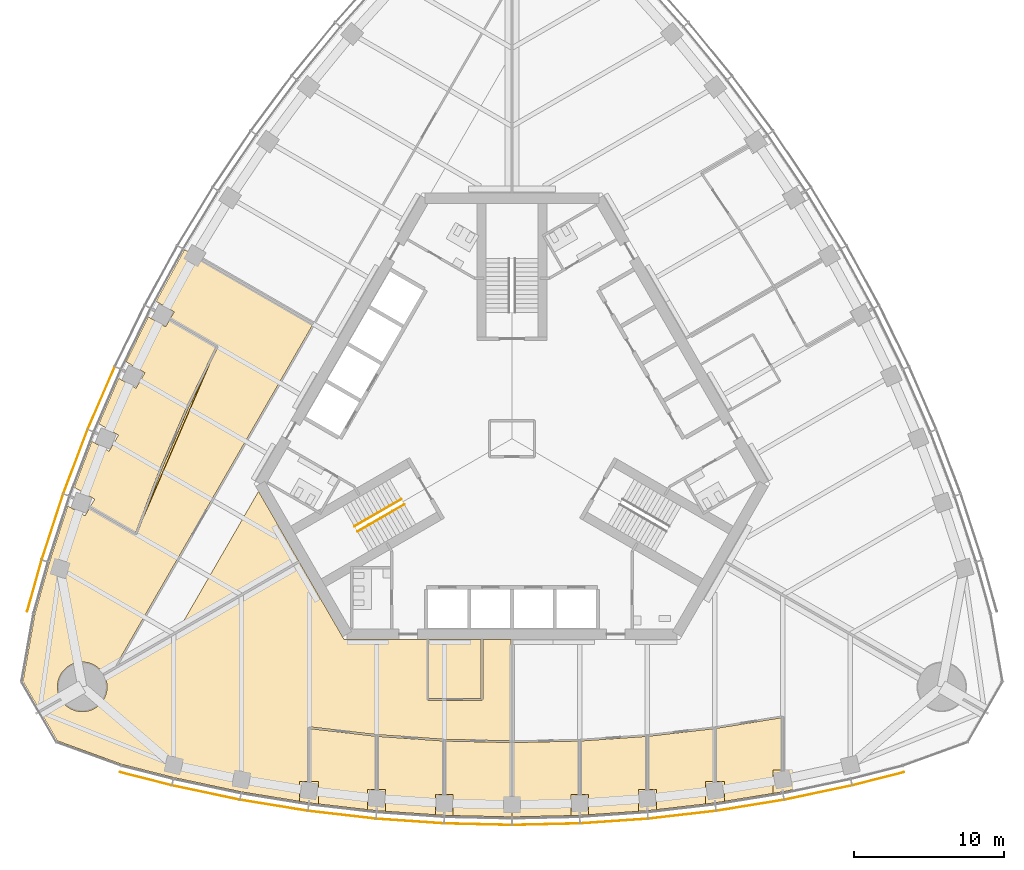
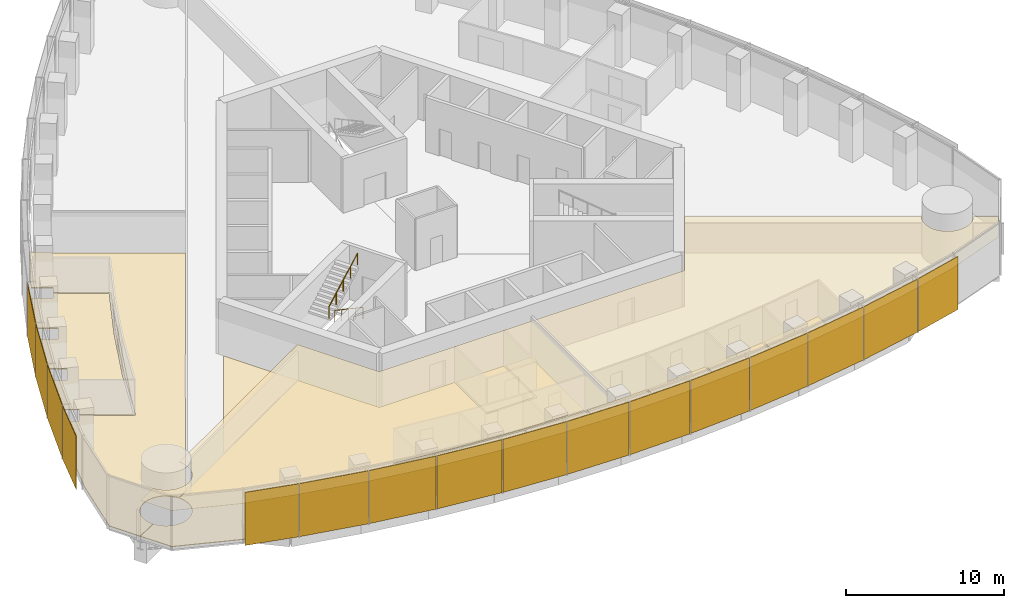
# One storey, part 15 of 19: 16 shading devices, 14 coverings, 2 railings.
"""IFC4 building model written with IfcOpenShell, lengths in metres."""

from ifc_helpers import new_model, si_unit, direction, frame, origin, origin_2d, place, context, subcontext, project, spatial, polyline, rectangle, circle, outline, extrude, material, layer, layer_set, type_object, element, save


model = new_model("IFC4")

# Units and contexts
model_context = context("Model", 3, precision=1e-05, world=origin(), true_north=direction((0.0, 1.0)))
body_context = subcontext(model_context, "Body", "Model", "MODEL_VIEW")
ifc_project = project(units=[si_unit("LENGTHUNIT", "METRE"), si_unit("AREAUNIT", "SQUARE_METRE"), si_unit("VOLUMEUNIT", "CUBIC_METRE"), si_unit("PLANEANGLEUNIT", "RADIAN"), si_unit("MASSUNIT", "GRAM", prefix="KILO")], contexts=[model_context])

# Site, building, storey
site_placement = place(None, origin())
site = spatial("IfcSite", under=ifc_project, at=site_placement, CompositionType="ELEMENT")
building_placement = place(site_placement, origin())
building = spatial("IfcBuilding", under=site, at=building_placement, Name="Trefoil Bronze Tower", CompositionType="ELEMENT")
storey_placement = place(building_placement, frame((0.0, 0.0, 223.300048828125)))
storey = spatial("IfcBuildingStorey", under=building, at=storey_placement, Name="L51", CompositionType="ELEMENT", Elevation=223.300048828125)

# Shading devices
ifc_material_1 = material(Name="Perforated bronze sheet", Category="bronze")
ifc_layer_1 = layer(ifc_material_1, 0.0400390625)
ifc_layer_set_1 = layer_set([ifc_layer_1], Name="Bronze solar screen panel")
shading_device_type = type_object("IfcShadingDeviceType", Name="Bronze solar screen panel", PredefinedType="SHUTTER", material=ifc_layer_set_1)
shading_device_1_placement = place(storey_placement, frame((-24.360107421875, -22.614501953125, 0.0498046875), z_axis=(0.0, 0.0, 1.0), x_axis=(0.968934035393, -0.247319297786, 0.0)))
element("IfcShadingDevice", 1, at=shading_device_1_placement, inside=storey, type_object=shading_device_type, Name="Solar screen CW-A L51 F1 bay 1", PredefinedType="SHUTTER", context=body_context, shape_type="SweptSolid", body=[
    extrude(rectangle(XDim=3.53369140625, YDim=0.0400390625, at=origin_2d()), origin(), (0.0, 0.0, 1.0), 4.10009765625),
])
shading_device_2_placement = place(storey_placement, frame((-20.361572265625, -23.535888671875, 0.0498046875), z_axis=(0.0, 0.0, 1.0), x_axis=(0.978394335897, -0.20674748725, 0.0)))
element("IfcShadingDevice", 2, at=shading_device_2_placement, inside=storey, type_object=shading_device_type, Name="Solar screen CW-A L51 F1 bay 2", PredefinedType="SHUTTER", context=body_context, shape_type="SweptSolid", body=[
    extrude(rectangle(XDim=4.5693359375, YDim=0.0400390625, at=origin_2d()), origin(), (0.0, 0.0, 1.0), 4.10009765625),
])
shading_device_3_placement = place(storey_placement, frame((-15.8369140625, -24.382568359375, 0.0498046875), z_axis=(0.0, 0.0, 1.0), x_axis=(0.986986549528, -0.160802832848, 0.0)))
element("IfcShadingDevice", 3, at=shading_device_3_placement, inside=storey, type_object=shading_device_type, Name="Solar screen CW-A L51 F1 bay 3", PredefinedType="SHUTTER", context=body_context, shape_type="SweptSolid", body=[
    extrude(rectangle(XDim=4.529296875, YDim=0.0400390625, at=origin_2d()), origin(), (0.0, 0.0, 1.0), 4.10009765625),
])
shading_device_4_placement = place(storey_placement, frame((-11.31201171875, -25.0126953125, 0.0498046875), z_axis=(0.0, 0.0, 1.0), x_axis=(0.993381831741, -0.114858767043, 0.0)))
element("IfcShadingDevice", 4, at=shading_device_4_placement, inside=storey, type_object=shading_device_type, Name="Solar screen CW-A L51 F1 bay 4", PredefinedType="SHUTTER", context=body_context, shape_type="SweptSolid", body=[
    extrude(rectangle(XDim=4.5, YDim=0.0400390625, at=origin_2d()), origin(), (0.0, 0.0, 1.0), 4.10009765625),
])
shading_device_5_placement = place(storey_placement, frame((-6.787109375, -25.430419921875, 0.0498046875), z_axis=(0.0, 0.0, 1.0), x_axis=(0.99762252804, -0.068915103905, 0.0)))
element("IfcShadingDevice", 5, at=shading_device_5_placement, inside=storey, type_object=shading_device_type, Name="Solar screen CW-A L51 F1 bay 5", PredefinedType="SHUTTER", context=body_context, shape_type="SweptSolid", body=[
    extrude(rectangle(XDim=4.480712890625, YDim=0.0400390625, at=origin_2d()), origin(), (0.0, 0.0, 1.0), 4.10009765625),
])
for number, where, z_axis, x_axis, name in (
    (6, (-2.262451171875, -25.638671875, 0.0498046875), (0.0, 0.0, 1.0), (0.999736116243, -0.022971675577, 0.0), "Solar screen CW-A L51 F1 bay 6"),
    (7, (2.262451171875, -25.638671875, 0.0498046875), (0.0, 0.0, 1.0), (0.999736116243, 0.022971675577, 0.0), "Solar screen CW-A L51 F1 bay 7"),
):
    element("IfcShadingDevice", number, at=place(storey_placement, frame(where, z_axis=z_axis, x_axis=x_axis)), inside=storey, type_object=shading_device_type, Name=name, PredefinedType="SHUTTER", context=body_context, shape_type="SweptSolid", body=[
        extrude(rectangle(XDim=4.47119140625, YDim=0.0400390625, at=origin_2d()), origin(), (0.0, 0.0, 1.0), 4.10009765625),
    ])
shading_device_6_placement = place(storey_placement, frame((6.787109375, -25.430419921875, 0.0498046875), z_axis=(0.0, 0.0, 1.0), x_axis=(0.99762252804, 0.068915103905, 0.0)))
element("IfcShadingDevice", 8, at=shading_device_6_placement, inside=storey, type_object=shading_device_type, Name="Solar screen CW-A L51 F1 bay 8", PredefinedType="SHUTTER", context=body_context, shape_type="SweptSolid", body=[
    extrude(rectangle(XDim=4.480712890625, YDim=0.0400390625, at=origin_2d()), origin(), (0.0, 0.0, 1.0), 4.10009765625),
])
shading_device_7_placement = place(storey_placement, frame((11.31201171875, -25.0126953125, 0.0498046875), z_axis=(0.0, 0.0, 1.0), x_axis=(0.993381831741, 0.114858767043, 0.0)))
element("IfcShadingDevice", 9, at=shading_device_7_placement, inside=storey, type_object=shading_device_type, Name="Solar screen CW-A L51 F1 bay 9", PredefinedType="SHUTTER", context=body_context, shape_type="SweptSolid", body=[
    extrude(rectangle(XDim=4.5, YDim=0.0400390625, at=origin_2d()), origin(), (0.0, 0.0, 1.0), 4.10009765625),
])
shading_device_8_placement = place(storey_placement, frame((15.8369140625, -24.382568359375, 0.0498046875), z_axis=(0.0, 0.0, 1.0), x_axis=(0.986986549528, 0.160802832848, 0.0)))
element("IfcShadingDevice", 10, at=shading_device_8_placement, inside=storey, type_object=shading_device_type, Name="Solar screen CW-A L51 F1 bay 10", PredefinedType="SHUTTER", context=body_context, shape_type="SweptSolid", body=[
    extrude(rectangle(XDim=4.529296875, YDim=0.0400390625, at=origin_2d()), origin(), (0.0, 0.0, 1.0), 4.10009765625),
])
shading_device_9_placement = place(storey_placement, frame((20.361572265625, -23.535888671875, 0.0498046875), z_axis=(0.0, 0.0, 1.0), x_axis=(0.978394335897, 0.20674748725, 0.0)))
element("IfcShadingDevice", 11, at=shading_device_9_placement, inside=storey, type_object=shading_device_type, Name="Solar screen CW-A L51 F1 bay 11", PredefinedType="SHUTTER", context=body_context, shape_type="SweptSolid", body=[
    extrude(rectangle(XDim=4.5693359375, YDim=0.0400390625, at=origin_2d()), origin(), (0.0, 0.0, 1.0), 4.10009765625),
])
shading_device_10_placement = place(storey_placement, frame((24.360107421875, -22.614501953125, 0.0498046875), z_axis=(0.0, 0.0, 1.0), x_axis=(0.968934035393, 0.247319297786, 0.0)))
element("IfcShadingDevice", 12, at=shading_device_10_placement, inside=storey, type_object=shading_device_type, Name="Solar screen CW-A L51 F1 bay 12", PredefinedType="SHUTTER", context=body_context, shape_type="SweptSolid", body=[
    extrude(rectangle(XDim=3.53369140625, YDim=0.0400390625, at=origin_2d()), origin(), (0.0, 0.0, 1.0), 4.10009765625),
])
shading_device_11_placement = place(storey_placement, frame((-27.317626953125, 2.709716796875, 0.0498046875), z_axis=(0.0, 0.0, 1.0), x_axis=(-0.397220305764, -0.917723285467, 0.0)))
element("IfcShadingDevice", 13, at=shading_device_11_placement, inside=storey, type_object=shading_device_type, Name="Solar screen CW-A L51 F3 bay 9", PredefinedType="SHUTTER", context=body_context, shape_type="SweptSolid", body=[
    extrude(rectangle(XDim=4.5, YDim=0.0400390625, at=origin_2d()), origin(), (0.0, 0.0, 1.0), 4.10009765625),
])
shading_device_12_placement = place(storey_placement, frame((-29.0341796875, -1.52392578125, 0.0498046875), z_axis=(0.0, 0.0, 1.0), x_axis=(-0.354233936517, -0.935156841508, 0.0)))
element("IfcShadingDevice", 14, at=shading_device_12_placement, inside=storey, type_object=shading_device_type, Name="Solar screen CW-A L51 F3 bay 10", PredefinedType="SHUTTER", context=body_context, shape_type="SweptSolid", body=[
    extrude(rectangle(XDim=4.529296875, YDim=0.0400390625, at=origin_2d()), origin(), (0.0, 0.0, 1.0), 4.10009765625),
])
shading_device_13_placement = place(storey_placement, frame((-30.5634765625, -5.86572265625, 0.0498046875), z_axis=(0.0, 0.0, 1.0), x_axis=(-0.310148591821, -0.950688093431, 0.0)))
element("IfcShadingDevice", 15, at=shading_device_13_placement, inside=storey, type_object=shading_device_type, Name="Solar screen CW-A L51 F3 bay 11", PredefinedType="SHUTTER", context=body_context, shape_type="SweptSolid", body=[
    extrude(rectangle(XDim=4.5693359375, YDim=0.0400390625, at=origin_2d()), origin(), (0.0, 0.0, 1.0), 4.10009765625),
])
shading_device_14_placement = place(storey_placement, frame((-31.764892578125, -9.7890625, 0.0498046875), z_axis=(0.0, 0.0, 1.0), x_axis=(-0.270282222968, -0.962781138134, 0.0)))
element("IfcShadingDevice", 16, at=shading_device_14_placement, inside=storey, type_object=shading_device_type, Name="Solar screen CW-A L51 F3 bay 12", PredefinedType="SHUTTER", context=body_context, shape_type="SweptSolid", body=[
    extrude(rectangle(XDim=3.53369140625, YDim=0.0400390625, at=origin_2d()), origin(), (0.0, 0.0, 1.0), 4.10009765625),
])

# Railings
ifc_material_2 = material(Name="Steel handrail", Category="steel")
railing_type = type_object("IfcRailingType", Name="Handrail 900", PredefinedType="HANDRAIL", material=ifc_material_2)
railing_1_placement = place(storey_placement, frame((-7.166015625, -4.3681640625, 0.161376953125)))
element("IfcRailing", 17, at=railing_1_placement, inside=storey, type_object=railing_type, Name="Handrail ST3 flight 1 L51", PredefinedType="HANDRAIL", context=body_context, shape_type="SweptSolid", body=[
    extrude(circle(Radius=0.02392578125, at=origin_2d()), frame((0.0, 0.0, 0.8759765625), z_axis=(-0.76250339821, -0.440245697338, 0.474101564745), x_axis=(0.500012057535, -0.866018442252, 0.0)), (0.0, 0.0, 1.0), 4.088623046875),
    extrude(circle(Radius=0.02099609375, at=origin_2d()), origin(), (0.0, 0.0, 1.0), 0.851806640625),
    extrude(circle(Radius=0.02099609375, at=origin_2d()), frame((-0.779296875, -0.449951171875, 0.484619140625)), (0.0, 0.0, 1.0), 0.851806640625),
    extrude(circle(Radius=0.02099609375, at=origin_2d()), frame((-1.558837890625, -0.89990234375, 0.96923828125)), (0.0, 0.0, 1.0), 0.851806640625),
    extrude(circle(Radius=0.02099609375, at=origin_2d()), frame((-2.33837890625, -1.35009765625, 1.453857421875)), (0.0, 0.0, 1.0), 0.851806640625),
    extrude(circle(Radius=0.02099609375, at=origin_2d()), frame((-3.11767578125, -1.800048828125, 1.9384765625)), (0.0, 0.0, 1.0), 0.851806640625),
])
railing_2_placement = place(storey_placement, frame((-10.483642578125, -5.82177734375, 2.261474609375)))
element("IfcRailing", 18, at=railing_2_placement, inside=storey, type_object=railing_type, Name="Handrail ST3 flight 2 L51", PredefinedType="HANDRAIL", context=body_context, shape_type="SweptSolid", body=[
    extrude(circle(Radius=0.02392578125, at=origin_2d()), frame((0.0, 0.0, 0.8759765625), z_axis=(0.76250339821, 0.440245697338, 0.474101564745), x_axis=(-0.500012057535, 0.866018442252, 0.0)), (0.0, 0.0, 1.0), 4.088623046875),
    extrude(circle(Radius=0.02099609375, at=origin_2d()), origin(), (0.0, 0.0, 1.0), 0.851806640625),
    extrude(circle(Radius=0.02099609375, at=origin_2d()), frame((0.779296875, 0.449951171875, 0.484619140625)), (0.0, 0.0, 1.0), 0.851806640625),
    extrude(circle(Radius=0.02099609375, at=origin_2d()), frame((1.558837890625, 0.89990234375, 0.96923828125)), (0.0, 0.0, 1.0), 0.851806640625),
    extrude(circle(Radius=0.02099609375, at=origin_2d()), frame((2.33837890625, 1.35009765625, 1.453857421875)), (0.0, 0.0, 1.0), 0.851806640625),
    extrude(circle(Radius=0.02099609375, at=origin_2d()), frame((3.11767578125, 1.800048828125, 1.9384765625)), (0.0, 0.0, 1.0), 0.851806640625),
])

# Coverings
ifc_material_3 = material(Name="Acoustic ceiling panels", Category="mineral fibre")
ifc_layer_2 = layer(ifc_material_3, 0.02001953125)
ifc_layer_set_2 = layer_set([ifc_layer_2], Name="Office ceiling 20")
covering_type_1 = type_object("IfcCoveringType", Name="Office ceiling 20", PredefinedType="CEILING", material=ifc_layer_set_2)
covering_1_placement = place(storey_placement, frame((0.0, 0.0, 2.89990234375)))
element("IfcCovering", 19, at=covering_1_placement, inside=storey, type_object=covering_type_1, Name="Ceiling L51 Open-plan office F1", PredefinedType="CEILING", context=body_context, shape_type="SweptSolid", body=[
    extrude(outline(polyline([(-29.95068359375, -17.416748046875), (-29.904052734375, -17.48291015625), (-29.854248046875, -17.546630859375), (-29.801513671875, -17.608154296875), (-29.74560546875, -17.666748046875), (-29.68701171875, -17.72265625), (-29.62548828125, -17.775390625), (-29.561767578125, -17.8251953125), (-29.49560546875, -17.871826171875), (-29.427001953125, -17.915283203125), (-29.356689453125, -17.955078125), (-29.2841796875, -17.99169921875), (-29.210205078125, -18.0244140625), (-29.134765625, -18.053466796875), (-29.057861328125, -18.0791015625), (-28.979736328125, -18.1005859375), (-28.900634765625, -18.118408203125), (-28.82080078125, -18.132080078125), (-28.740478515625, -18.14208984375), (-28.659912109375, -18.14794921875), (-28.578857421875, -18.14990234375), (-28.497802734375, -18.14794921875), (-28.4169921875, -18.14208984375), (-28.336669921875, -18.132080078125), (-28.2568359375, -18.118408203125), (-28.177978515625, -18.1005859375), (-28.099853515625, -18.0791015625), (-28.02294921875, -18.053466796875), (-27.947509765625, -18.0244140625), (-27.873291015625, -17.99169921875), (-27.801025390625, -17.955078125), (-27.730712890625, -17.915283203125), (-27.662109375, -17.871826171875), (-27.595947265625, -17.8251953125), (-27.531982421875, -17.775390625), (-27.470703125, -17.72265625), (-27.412109375, -17.666748046875), (-27.356201171875, -17.608154296875), (-27.303466796875, -17.546630859375), (-27.25341796875, -17.48291015625), (-27.206787109375, -17.416748046875), (-27.16357421875, -17.348388671875), (-27.123779296875, -17.27783203125), (-27.08740234375, -17.20556640625), (-27.054443359375, -17.13134765625), (-27.025390625, -17.055908203125), (-27.0, -16.97900390625), (-26.978271484375, -16.90087890625), (-26.96044921875, -16.822021484375), (-26.94677734375, -16.7421875), (-26.936767578125, -16.66162109375), (-26.930908203125, -16.5810546875), (-26.9287109375, -16.5), (-26.930908203125, -16.4189453125), (-26.936767578125, -16.33837890625), (-26.94677734375, -16.2578125), (-26.96044921875, -16.177978515625), (-26.978271484375, -16.09912109375), (-27.0, -16.02099609375), (-27.025390625, -15.944091796875), (-27.054443359375, -15.86865234375), (-27.08740234375, -15.79443359375), (-27.123779296875, -15.72216796875), (-27.14453125, -15.685546875), (-14.156494140625, -8.180419921875), (-11.171630859375, -13.35009765625), (11.171630859375, -13.35009765625), (14.156494140625, -8.180419921875), (27.14453125, -15.685546875), (27.123779296875, -15.72216796875), (27.08740234375, -15.79443359375), (27.054443359375, -15.86865234375), (27.025390625, -15.944091796875), (27.0, -16.02099609375), (26.978271484375, -16.09912109375), (26.96044921875, -16.177978515625), (26.94677734375, -16.2578125), (26.936767578125, -16.33837890625), (26.930908203125, -16.4189453125), (26.9287109375, -16.5), (26.930908203125, -16.5810546875), (26.936767578125, -16.66162109375), (26.94677734375, -16.7421875), (26.96044921875, -16.822021484375), (26.978271484375, -16.90087890625), (27.0, -16.97900390625), (27.025390625, -17.055908203125), (27.054443359375, -17.13134765625), (27.08740234375, -17.20556640625), (27.123779296875, -17.27783203125), (27.16357421875, -17.348388671875), (27.206787109375, -17.416748046875), (27.25341796875, -17.48291015625), (27.303466796875, -17.546630859375), (27.356201171875, -17.608154296875), (27.412109375, -17.666748046875), (27.470703125, -17.72265625), (27.531982421875, -17.775390625), (27.595947265625, -17.8251953125), (27.662109375, -17.871826171875), (27.730712890625, -17.915283203125), (27.801025390625, -17.955078125), (27.873291015625, -17.99169921875), (27.947509765625, -18.0244140625), (28.02294921875, -18.053466796875), (28.099853515625, -18.0791015625), (28.177978515625, -18.1005859375), (28.2568359375, -18.118408203125), (28.336669921875, -18.132080078125), (28.4169921875, -18.14208984375), (28.497802734375, -18.14794921875), (28.578857421875, -18.14990234375), (28.659912109375, -18.14794921875), (28.740478515625, -18.14208984375), (28.82080078125, -18.132080078125), (28.900634765625, -18.118408203125), (28.979736328125, -18.1005859375), (29.057861328125, -18.0791015625), (29.134765625, -18.053466796875), (29.210205078125, -18.0244140625), (29.2841796875, -17.99169921875), (29.356689453125, -17.955078125), (29.427001953125, -17.915283203125), (29.49560546875, -17.871826171875), (29.561767578125, -17.8251953125), (29.62548828125, -17.775390625), (29.68701171875, -17.72265625), (29.74560546875, -17.666748046875), (29.801513671875, -17.608154296875), (29.854248046875, -17.546630859375), (29.904052734375, -17.48291015625), (29.95068359375, -17.416748046875), (30.0009765625, -17.336181640625), (31.37158203125, -18.1279296875), (30.23828125, -20.0908203125), (25.952880859375, -21.650634765625), (22.5, -22.531982421875), (18.0, -23.48291015625), (13.5, -24.216064453125), (9.0, -24.736328125), (4.5, -25.047119140625), (0.0, -25.150634765625), (-4.5, -25.047119140625), (-9.0, -24.736328125), (-13.5, -24.216064453125), (-18.0, -23.48291015625), (-22.5, -22.531982421875), (-25.952880859375, -21.650634765625), (-30.23828125, -20.0908203125), (-31.37158203125, -18.1279296875), (-30.0009765625, -17.336181640625), (-29.95068359375, -17.416748046875)])), origin(), (0.0, 0.0, 1.0), 0.02001953125),
])
ifc_material_4 = material(Name="Raised access floor panels", Category="steel")
ifc_layer_3 = layer(ifc_material_4, 0.050048828125)
ifc_layer_set_3 = layer_set([ifc_layer_3], Name="Raised access floor 150")
covering_type_2 = type_object("IfcCoveringType", Name="Raised access floor 150", PredefinedType="FLOORING", material=ifc_layer_set_3)
covering_2_placement = place(storey_placement, frame((0.0, 0.0, 0.099853515625)))
element("IfcCovering", 20, at=covering_2_placement, inside=storey, type_object=covering_type_2, Name="Raised floor L51 Meeting room F1", PredefinedType="FLOORING", context=body_context, shape_type="SweptSolid", body=[
    extrude(outline(polyline([(-2.06005859375, -13.35009765625), (-2.06005859375, -17.2900390625), (-5.5400390625, -17.2900390625), (-5.5400390625, -13.35009765625), (-2.06005859375, -13.35009765625)])), origin(), (0.0, 0.0, 1.0), 0.050048828125),
])
covering_3_placement = place(storey_placement, frame((0.0, 0.0, 0.099853515625)))
element("IfcCovering", 21, at=covering_3_placement, inside=storey, type_object=covering_type_2, Name="Raised floor L51 Office F1", PredefinedType="FLOORING", context=body_context, shape_type="SweptSolid", body=[
    extrude(outline(polyline([(-13.43994140625, -22.78662109375), (-13.43994140625, -19.283447265625), (-9.06005859375, -19.789794921875), (-9.06005859375, -23.333740234375), (-9.599365234375, -23.333740234375), (-9.599365234375, -24.6669921875), (-12.87841796875, -24.2880859375), (-12.87841796875, -22.78662109375), (-13.43994140625, -22.78662109375)])), origin(), (0.0, 0.0, 1.0), 0.050048828125),
])
covering_4_placement = place(storey_placement, frame((0.0, 0.0, 0.099853515625)))
element("IfcCovering", 22, at=covering_4_placement, inside=storey, type_object=covering_type_2, Name="Raised floor L51 Office F1", PredefinedType="FLOORING", context=body_context, shape_type="SweptSolid", body=[
    extrude(outline(polyline([(-8.93994140625, -23.333740234375), (-8.93994140625, -19.80078125), (-4.56005859375, -20.103271484375), (-4.56005859375, -23.665771484375), (-4.5, -23.665771484375), (-4.5, -23.670654296875), (-5.07568359375, -23.670654296875), (-5.07568359375, -25.007568359375), (-8.400634765625, -24.77783203125), (-8.400634765625, -23.333740234375), (-8.93994140625, -23.333740234375)])), origin(), (0.0, 0.0, 1.0), 0.050048828125),
])
covering_5_placement = place(storey_placement, frame((0.0, 0.0, 0.099853515625)))
element("IfcCovering", 23, at=covering_5_placement, inside=storey, type_object=covering_type_2, Name="Raised floor L51 Office F1", PredefinedType="FLOORING", context=body_context, shape_type="SweptSolid", body=[
    extrude(outline(polyline([(-4.5, -23.665771484375), (-4.43994140625, -23.665771484375), (-4.43994140625, -20.108642578125), (-0.074951171875, -20.208984375), (-0.074951171875, -23.7705078125), (0.0, -23.7705078125), (0.0, -25.150634765625), (-3.92431640625, -25.060546875), (-3.92431640625, -23.670654296875), (-4.5, -23.670654296875), (-4.5, -23.665771484375)])), origin(), (0.0, 0.0, 1.0), 0.050048828125),
])
covering_6_placement = place(storey_placement, frame((0.0, 0.0, 0.099853515625)))
element("IfcCovering", 24, at=covering_6_placement, inside=storey, type_object=covering_type_2, Name="Raised floor L51 Office F1", PredefinedType="FLOORING", context=body_context, shape_type="SweptSolid", body=[
    extrude(outline(polyline([(0.0, -23.7705078125), (0.074951171875, -23.7705078125), (0.074951171875, -20.208984375), (4.43994140625, -20.108642578125), (4.43994140625, -23.665771484375), (4.5, -23.665771484375), (4.5, -23.670654296875), (3.92431640625, -23.670654296875), (3.92431640625, -25.060546875), (0.0, -25.150634765625), (0.0, -23.7705078125)])), origin(), (0.0, 0.0, 1.0), 0.050048828125),
])
covering_7_placement = place(storey_placement, frame((0.0, 0.0, 0.099853515625)))
element("IfcCovering", 25, at=covering_7_placement, inside=storey, type_object=covering_type_2, Name="Raised floor L51 Office F1", PredefinedType="FLOORING", context=body_context, shape_type="SweptSolid", body=[
    extrude(outline(polyline([(4.5, -23.665771484375), (4.56005859375, -23.665771484375), (4.56005859375, -20.103271484375), (8.93994140625, -19.80078125), (8.93994140625, -23.333740234375), (8.400634765625, -23.333740234375), (8.400634765625, -24.77783203125), (5.07568359375, -25.007568359375), (5.07568359375, -23.670654296875), (4.5, -23.670654296875), (4.5, -23.665771484375)])), origin(), (0.0, 0.0, 1.0), 0.050048828125),
])
covering_8_placement = place(storey_placement, frame((0.0, 0.0, 0.099853515625)))
element("IfcCovering", 26, at=covering_8_placement, inside=storey, type_object=covering_type_2, Name="Raised floor L51 Office F1", PredefinedType="FLOORING", context=body_context, shape_type="SweptSolid", body=[
    extrude(outline(polyline([(9.06005859375, -19.789794921875), (13.43994140625, -19.283447265625), (13.43994140625, -22.78662109375), (12.87841796875, -22.78662109375), (12.87841796875, -24.2880859375), (9.599365234375, -24.6669921875), (9.599365234375, -23.333740234375), (9.06005859375, -23.333740234375), (9.06005859375, -19.789794921875)])), origin(), (0.0, 0.0, 1.0), 0.050048828125),
])
covering_9_placement = place(storey_placement, frame((0.0, 0.0, 0.099853515625)))
element("IfcCovering", 27, at=covering_9_placement, inside=storey, type_object=covering_type_2, Name="Raised floor L51 Meeting room F1", PredefinedType="FLOORING", context=body_context, shape_type="SweptSolid", body=[
    extrude(outline(polyline([(13.56005859375, -19.26708984375), (17.93994140625, -18.553466796875), (17.93994140625, -22.026123046875), (17.357177734375, -22.026123046875), (17.357177734375, -23.587646484375), (14.12158203125, -24.11474609375), (14.12158203125, -22.78662109375), (13.56005859375, -22.78662109375), (13.56005859375, -19.26708984375)])), origin(), (0.0, 0.0, 1.0), 0.050048828125),
])
covering_10_placement = place(storey_placement, frame((0.0, 0.0, 0.099853515625)))
element("IfcCovering", 28, at=covering_10_placement, inside=storey, type_object=covering_type_2, Name="Raised floor L51 Open-plan office F1", PredefinedType="FLOORING", context=body_context, shape_type="SweptSolid", body=[
    extrude(outline(polyline([(-27.123779296875, -15.72216796875), (-27.14453125, -15.685546875), (-14.156494140625, -8.180419921875), (-11.171630859375, -13.35009765625), (-5.659912109375, -13.35009765625), (-5.659912109375, -17.35009765625), (-5.60009765625, -17.35009765625), (-5.60009765625, -17.409912109375), (-2.0, -17.409912109375), (-2.0, -17.35009765625), (-1.93994140625, -17.35009765625), (-1.93994140625, -13.35009765625), (-0.0009765625, -13.35009765625), (-0.0009765625, -13.360107421875), (-0.074951171875, -13.360107421875), (-0.074951171875, -20.0888671875), (-4.497314453125, -19.9873046875), (-8.994384765625, -19.676513671875), (-13.4931640625, -19.156494140625), (-13.5, -19.216064453125), (-13.56005859375, -19.216064453125), (-13.56005859375, -22.78662109375), (-14.12158203125, -22.78662109375), (-14.12158203125, -24.11474609375), (-18.0, -23.48291015625), (-22.5, -22.531982421875), (-25.952880859375, -21.650634765625), (-30.23828125, -20.0908203125), (-31.37158203125, -18.1279296875), (-30.0009765625, -17.336181640625), (-29.95068359375, -17.416748046875), (-29.904052734375, -17.48291015625), (-29.854248046875, -17.546630859375), (-29.801513671875, -17.608154296875), (-29.74560546875, -17.666748046875), (-29.68701171875, -17.72265625), (-29.62548828125, -17.775390625), (-29.561767578125, -17.8251953125), (-29.49560546875, -17.871826171875), (-29.427001953125, -17.915283203125), (-29.356689453125, -17.955078125), (-29.2841796875, -17.99169921875), (-29.210205078125, -18.0244140625), (-29.134765625, -18.053466796875), (-29.057861328125, -18.0791015625), (-28.979736328125, -18.1005859375), (-28.900634765625, -18.118408203125), (-28.82080078125, -18.132080078125), (-28.740478515625, -18.14208984375), (-28.659912109375, -18.14794921875), (-28.578857421875, -18.14990234375), (-28.497802734375, -18.14794921875), (-28.4169921875, -18.14208984375), (-28.336669921875, -18.132080078125), (-28.2568359375, -18.118408203125), (-28.177978515625, -18.1005859375), (-28.099853515625, -18.0791015625), (-28.02294921875, -18.053466796875), (-27.947509765625, -18.0244140625), (-27.873291015625, -17.99169921875), (-27.801025390625, -17.955078125), (-27.730712890625, -17.915283203125), (-27.662109375, -17.871826171875), (-27.595947265625, -17.8251953125), (-27.531982421875, -17.775390625), (-27.470703125, -17.72265625), (-27.412109375, -17.666748046875), (-27.356201171875, -17.608154296875), (-27.303466796875, -17.546630859375), (-27.25341796875, -17.48291015625), (-27.206787109375, -17.416748046875), (-27.16357421875, -17.348388671875), (-27.123779296875, -17.27783203125), (-27.08740234375, -17.20556640625), (-27.054443359375, -17.13134765625), (-27.025390625, -17.055908203125), (-27.0, -16.97900390625), (-26.978271484375, -16.90087890625), (-26.96044921875, -16.822021484375), (-26.94677734375, -16.7421875), (-26.936767578125, -16.66162109375), (-26.930908203125, -16.5810546875), (-26.9287109375, -16.5), (-26.930908203125, -16.4189453125), (-26.936767578125, -16.33837890625), (-26.94677734375, -16.2578125), (-26.96044921875, -16.177978515625), (-26.978271484375, -16.09912109375), (-27.0, -16.02099609375), (-27.025390625, -15.944091796875), (-27.054443359375, -15.86865234375), (-27.08740234375, -15.79443359375), (-27.123779296875, -15.72216796875)])), origin(), (0.0, 0.0, 1.0), 0.050048828125),
])
covering_11_placement = place(storey_placement, frame((0.0, 0.0, 0.099853515625)))
element("IfcCovering", 29, at=covering_11_placement, inside=storey, type_object=covering_type_2, Name="Raised floor L51 Quiet library F3", PredefinedType="FLOORING", context=body_context, shape_type="SweptSolid", body=[
    extrude(outline(polyline([(-26.162109375, 4.020263671875), (-25.007080078125, 3.353515625), (-24.407958984375, 4.3916015625), (-25.658447265625, 5.11376953125), (-24.195068359375, 8.10791015625), (-23.037353515625, 7.439697265625), (-22.74951171875, 7.938232421875), (-22.7451171875, 7.935791015625), (-22.775146484375, 7.8837890625), (-19.68994140625, 6.1025390625), (-21.64599609375, 2.100341796875), (-21.59228515625, 2.073974609375), (-21.647216796875, 2.097900390625), (-23.44677734375, -2.0595703125), (-23.3916015625, -2.083251953125), (-23.44775390625, -2.06201171875), (-25.037841796875, -6.259765625), (-28.045166015625, -4.5234375), (-27.75390625, -4.0185546875), (-29.106201171875, -3.23779296875), (-27.94482421875, -0.17236328125), (-26.794677734375, -0.83642578125), (-26.173095703125, 0.240478515625), (-27.47314453125, 0.990966796875), (-26.162109375, 4.020263671875)])), origin(), (0.0, 0.0, 1.0), 0.050048828125),
])
covering_12_placement = place(storey_placement, frame((0.0, 0.0, 0.099853515625)))
element("IfcCovering", 30, at=covering_12_placement, inside=storey, type_object=covering_type_2, Name="Raised floor L51 Quiet library F3", PredefinedType="FLOORING", context=body_context, shape_type="SweptSolid", body=[
    extrude(outline(polyline([(-24.490234375, -5.153076171875), (-23.3359375, -2.10595703125), (-21.53759765625, 2.048828125), (-20.125, 4.93896484375), (-24.490234375, -5.153076171875)])), origin(), (0.0, 0.0, 1.0), 0.050048828125),
])
covering_13_placement = place(storey_placement, frame((0.0, 0.0, 0.099853515625)))
element("IfcCovering", 31, at=covering_13_placement, inside=storey, type_object=covering_type_2, Name="Raised floor L51 Open-plan office F3", PredefinedType="FLOORING", context=body_context, shape_type="SweptSolid", body=[
    extrude(outline(polyline([(-31.385009765625, -18.1044921875), (-32.518310546875, -16.1416015625), (-31.7265625, -11.650634765625), (-30.76318359375, -8.219482421875), (-29.54052734375, -4.4716796875), (-28.396728515625, -5.132080078125), (-28.105224609375, -4.627197265625), (-25.03662109375, -6.39892578125), (-25.006591796875, -6.346923828125), (-24.95068359375, -6.368408203125), (-24.490234375, -5.153076171875), (-20.125, 4.93896484375), (-19.5576171875, 6.10009765625), (-19.611328125, 6.12646484375), (-19.581298828125, 6.178466796875), (-22.715087890625, 7.98779296875), (-22.7451171875, 7.935791015625), (-22.74951171875, 7.938232421875), (-22.46142578125, 8.436767578125), (-23.6650390625, 9.131591796875), (-21.781494140625, 12.574462890625), (-20.58642578125, 11.884521484375), (-20.62353515625, 11.8203125), (-13.26171875, 7.570068359375), (-26.380126953125, -15.151611328125), (-26.322998046875, -15.1845703125), (-27.156005859375, -15.6650390625), (-27.206787109375, -15.583251953125), (-27.25341796875, -15.51708984375), (-27.303466796875, -15.453369140625), (-27.356201171875, -15.391845703125), (-27.412109375, -15.333251953125), (-27.470703125, -15.27734375), (-27.531982421875, -15.224609375), (-27.595947265625, -15.1748046875), (-27.662109375, -15.128173828125), (-27.730712890625, -15.084716796875), (-27.801025390625, -15.044921875), (-27.873291015625, -15.00830078125), (-27.947509765625, -14.9755859375), (-28.02294921875, -14.946533203125), (-28.099853515625, -14.9208984375), (-28.177978515625, -14.8994140625), (-28.2568359375, -14.881591796875), (-28.336669921875, -14.867919921875), (-28.4169921875, -14.85791015625), (-28.497802734375, -14.85205078125), (-28.578857421875, -14.85009765625), (-28.659912109375, -14.85205078125), (-28.740478515625, -14.85791015625), (-28.82080078125, -14.867919921875), (-28.900634765625, -14.881591796875), (-28.979736328125, -14.8994140625), (-29.057861328125, -14.9208984375), (-29.134765625, -14.946533203125), (-29.210205078125, -14.9755859375), (-29.2841796875, -15.00830078125), (-29.356689453125, -15.044921875), (-29.427001953125, -15.084716796875), (-29.49560546875, -15.128173828125), (-29.561767578125, -15.1748046875), (-29.62548828125, -15.224609375), (-29.68701171875, -15.27734375), (-29.74560546875, -15.333251953125), (-29.801513671875, -15.391845703125), (-29.854248046875, -15.453369140625), (-29.904052734375, -15.51708984375), (-29.95068359375, -15.583251953125), (-29.994140625, -15.651611328125), (-30.033935546875, -15.72216796875), (-30.0703125, -15.79443359375), (-30.103271484375, -15.86865234375), (-30.13232421875, -15.944091796875), (-30.15771484375, -16.02099609375), (-30.179443359375, -16.09912109375), (-30.197021484375, -16.177978515625), (-30.2109375, -16.2578125), (-30.220947265625, -16.33837890625), (-30.226806640625, -16.4189453125), (-30.228759765625, -16.5), (-30.226806640625, -16.5810546875), (-30.220947265625, -16.66162109375), (-30.2109375, -16.7421875), (-30.197021484375, -16.822021484375), (-30.179443359375, -16.90087890625), (-30.15771484375, -16.97900390625), (-30.13232421875, -17.055908203125), (-30.103271484375, -17.13134765625), (-30.0703125, -17.20556640625), (-30.033935546875, -17.27783203125), (-30.013916015625, -17.3134765625), (-31.385009765625, -18.1044921875)])), origin(), (0.0, 0.0, 1.0), 0.050048828125),
])
covering_14_placement = place(storey_placement, frame((0.0, 0.0, 0.099853515625)))
element("IfcCovering", 32, at=covering_14_placement, inside=storey, type_object=covering_type_2, Name="Raised floor L51 Open-plan office F3", PredefinedType="FLOORING", context=body_context, shape_type="SweptSolid", body=[
    extrude(outline(polyline([(-14.16259765625, -8.169677734375), (-22.247314453125, -12.833251953125), (-16.858642578125, -3.5), (-14.16259765625, -8.169677734375)])), origin(), (0.0, 0.0, 1.0), 0.050048828125),
])

save(model, "model.ifc")
